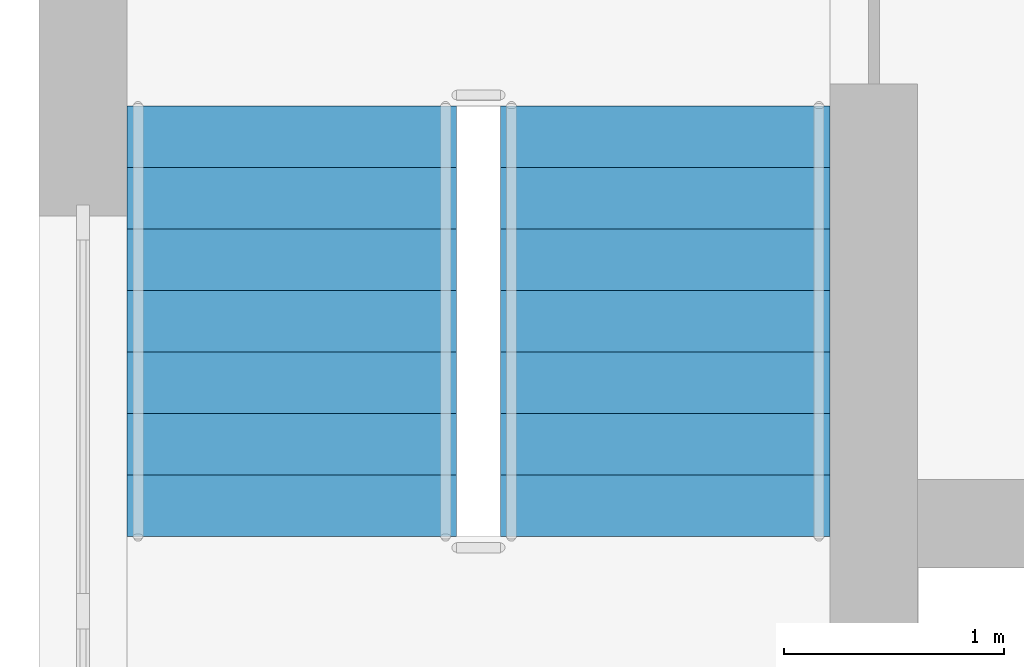
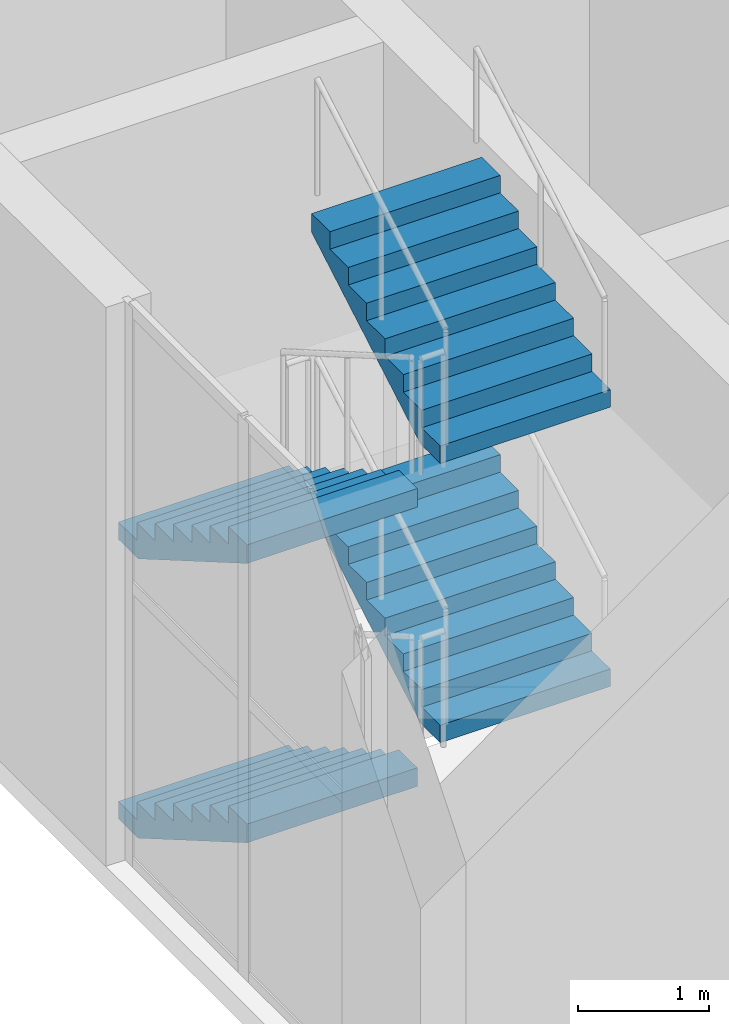
# One storey, part 68 of 93: 4 stair flights, 1 element without a shape of its own.
"""IFC4 building model written with IfcOpenShell, lengths in metres."""

from ifc_helpers import new_model, si_unit, direction, frame, origin, place, context, subcontext, project, spatial, polygons, material, type_object, element, aggregate, save


model = new_model("IFC4")

# Units and contexts
model_context = context("Model", 3, precision=1e-05, world=origin(), true_north=direction((0.0, 1.0)))
body_context = subcontext(model_context, "Body", "Model", "MODEL_VIEW")
ifc_project = project(units=[si_unit("LENGTHUNIT", "METRE"), si_unit("AREAUNIT", "SQUARE_METRE"), si_unit("VOLUMEUNIT", "CUBIC_METRE"), si_unit("PLANEANGLEUNIT", "RADIAN"), si_unit("MASSUNIT", "GRAM", prefix="KILO")], contexts=[model_context])

# Site, building, storey
site_placement = place(None, origin())
site = spatial("IfcSite", under=ifc_project, at=site_placement, CompositionType="ELEMENT")
building_placement = place(site_placement, origin())
building = spatial("IfcBuilding", under=site, at=building_placement, Name="Verrick Yard Athletic Hall", CompositionType="ELEMENT")
storey_placement = place(building_placement, frame((0.0, 0.0, 8.800048828125)))
storey = spatial("IfcBuildingStorey", under=building, at=storey_placement, Name="L02", CompositionType="ELEMENT", Elevation=8.800048828125)

# Stair, stair flights
ifc_material = material(Name="Concrete 35 MPa", Category="concrete")
stair_type = type_object("IfcStairType", Name="Stair ST2 1500 wide 32 risers", PredefinedType="HALF_TURN_STAIR", material=ifc_material)
stair_placement = place(storey_placement, origin())
stair = element("IfcStair", 1, at=stair_placement, inside=storey, type_object=stair_type, Name="Wing south-west stair L02", PredefinedType="HALF_TURN_STAIR")
stair_flight_type = type_object("IfcStairFlightType", Name="Stair flight SF2 1500 wide 8 risers", PredefinedType="STRAIGHT", material=ifc_material)
stair_flight_1_placement = place(storey_placement, frame((11.14990234375, 23.300048828125, 0.0), z_axis=(0.0, 0.0, 1.0), x_axis=(0.0, -1.0, 0.0)))
stair_flight_1 = element("IfcStairFlight", 2, at=stair_flight_1_placement, type_object=stair_flight_type, Name="ST2 flight 1", NumberOfRisers=8, NumberOfTreads=7, PredefinedType="STRAIGHT", RiserHeight=0.1625, TreadLength=0.28, context=body_context, shape_type="Tessellation", body=[
    polygons([(0.2986404620805121, -0.75, 0.0), (1.9600000000000002, -0.75, 0.9641818746854172), (1.9600000000000002, -0.75, 1.1375), (1.6800000000000002, -0.75, 1.1375), (1.6800000000000002, -0.75, 0.9750000000000001), (1.4000000000000001, -0.75, 0.9750000000000001), (1.4000000000000001, -0.75, 0.8125), (1.12, -0.75, 0.8125), (1.12, -0.75, 0.65), (0.8400000000000001, -0.75, 0.65), (0.8400000000000001, -0.75, 0.48750000000000004), (0.56, -0.75, 0.48750000000000004), (0.56, -0.75, 0.325), (0.28, -0.75, 0.325), (0.28, -0.75, 0.1625), (0.0, -0.75, 0.1625), (0.0, -0.75, 0.0), (0.2986404620805121, -0.14990234375, 0.0), (1.9600000000000002, -0.14990234375, 0.9641818746854172), (1.9600000000000002, -0.14990234375, 1.1375), (1.6800000000000002, -0.14990234375, 1.1375), (1.6800000000000002, -0.14990234375, 0.9750000000000001), (1.4000000000000001, -0.14990234375, 0.9750000000000001), (1.4000000000000001, -0.14990234375, 0.8125), (1.12, -0.14990234375, 0.8125), (1.12, -0.14990234375, 0.65), (0.8400000000000001, -0.14990234375, 0.65), (0.8400000000000001, -0.14990234375, 0.48750000000000004), (0.56, -0.14990234375, 0.48750000000000004), (0.56, -0.14990234375, 0.325), (0.28, -0.14990234375, 0.325), (0.28, -0.14990234375, 0.1625), (0.0, -0.14990234375, 0.1625), (0.0, -0.14990234375, 0.0), (0.2986404620805121, -0.050048828125, 0.0), (1.9600000000000002, -0.050048828125, 0.9641818746854172), (1.9600000000000002, -0.050048828125, 1.1375), (1.6800000000000002, -0.050048828125, 1.1375), (1.6800000000000002, -0.050048828125, 0.9750000000000001), (1.4000000000000001, -0.050048828125, 0.9750000000000001), (1.4000000000000001, -0.050048828125, 0.8125), (1.12, -0.050048828125, 0.8125), (1.12, -0.050048828125, 0.65), (0.8400000000000001, -0.050048828125, 0.65), (0.8400000000000001, -0.050048828125, 0.48750000000000004), (0.56, -0.050048828125, 0.48750000000000004), (0.56, -0.050048828125, 0.325), (0.28, -0.050048828125, 0.325), (0.28, -0.050048828125, 0.1625), (0.0, -0.050048828125, 0.1625), (0.0, -0.050048828125, 0.0), (0.2986404620805121, 0.050048828125, 0.0), (1.9600000000000002, 0.050048828125, 0.9641818746854172), (1.9600000000000002, 0.050048828125, 1.1375), (1.6800000000000002, 0.050048828125, 1.1375), (1.6800000000000002, 0.050048828125, 0.9750000000000001), (1.4000000000000001, 0.050048828125, 0.9750000000000001), (1.4000000000000001, 0.050048828125, 0.8125), (1.12, 0.050048828125, 0.8125), (1.12, 0.050048828125, 0.65), (0.8400000000000001, 0.050048828125, 0.65), (0.8400000000000001, 0.050048828125, 0.48750000000000004), (0.56, 0.050048828125, 0.48750000000000004), (0.56, 0.050048828125, 0.325), (0.28, 0.050048828125, 0.325), (0.28, 0.050048828125, 0.1625), (0.0, 0.050048828125, 0.1625), (0.0, 0.050048828125, 0.0), (0.2986404620805121, 0.14990234375, 0.0), (1.9600000000000002, 0.14990234375, 0.9641818746854172), (1.9600000000000002, 0.14990234375, 1.1375), (1.6800000000000002, 0.14990234375, 1.1375), (1.6800000000000002, 0.14990234375, 0.9750000000000001), (1.4000000000000001, 0.14990234375, 0.9750000000000001), (1.4000000000000001, 0.14990234375, 0.8125), (1.12, 0.14990234375, 0.8125), (1.12, 0.14990234375, 0.65), (0.8400000000000001, 0.14990234375, 0.65), (0.8400000000000001, 0.14990234375, 0.48750000000000004), (0.56, 0.14990234375, 0.48750000000000004), (0.56, 0.14990234375, 0.325), (0.28, 0.14990234375, 0.325), (0.28, 0.14990234375, 0.1625), (0.0, 0.14990234375, 0.1625), (0.0, 0.14990234375, 0.0), (0.2986404620805121, 0.75, 0.0), (1.9600000000000002, 0.75, 0.9641818746854172), (1.9600000000000002, 0.75, 1.1375), (1.6800000000000002, 0.75, 1.1375), (1.6800000000000002, 0.75, 0.9750000000000001), (1.4000000000000001, 0.75, 0.9750000000000001), (1.4000000000000001, 0.75, 0.8125), (1.12, 0.75, 0.8125), (1.12, 0.75, 0.65), (0.8400000000000001, 0.75, 0.65), (0.8400000000000001, 0.75, 0.48750000000000004), (0.56, 0.75, 0.48750000000000004), (0.56, 0.75, 0.325), (0.28, 0.75, 0.325), (0.28, 0.75, 0.1625), (0.0, 0.75, 0.1625), (0.0, 0.75, 0.0)], [[[1, 2, 3, 4, 5, 6, 7, 8, 9, 10, 11, 12, 13, 14, 15, 16, 17]], [[102, 101, 100, 99, 98, 97, 96, 95, 94, 93, 92, 91, 90, 89, 88, 87, 86]], [[1, 18, 19, 2]], [[2, 19, 20, 3]], [[3, 20, 21, 4]], [[4, 21, 22, 5]], [[5, 22, 23, 6]], [[6, 23, 24, 7]], [[7, 24, 25, 8]], [[8, 25, 26, 9]], [[9, 26, 27, 10]], [[10, 27, 28, 11]], [[11, 28, 29, 12]], [[12, 29, 30, 13]], [[13, 30, 31, 14]], [[14, 31, 32, 15]], [[15, 32, 33, 16]], [[16, 33, 34, 17]], [[17, 34, 18, 1]], [[18, 35, 36, 19]], [[19, 36, 37, 20]], [[20, 37, 38, 21]], [[21, 38, 39, 22]], [[22, 39, 40, 23]], [[23, 40, 41, 24]], [[24, 41, 42, 25]], [[25, 42, 43, 26]], [[26, 43, 44, 27]], [[27, 44, 45, 28]], [[28, 45, 46, 29]], [[29, 46, 47, 30]], [[30, 47, 48, 31]], [[31, 48, 49, 32]], [[32, 49, 50, 33]], [[33, 50, 51, 34]], [[34, 51, 35, 18]], [[35, 52, 53, 36]], [[36, 53, 54, 37]], [[37, 54, 55, 38]], [[38, 55, 56, 39]], [[39, 56, 57, 40]], [[40, 57, 58, 41]], [[41, 58, 59, 42]], [[42, 59, 60, 43]], [[43, 60, 61, 44]], [[44, 61, 62, 45]], [[45, 62, 63, 46]], [[46, 63, 64, 47]], [[47, 64, 65, 48]], [[48, 65, 66, 49]], [[49, 66, 67, 50]], [[50, 67, 68, 51]], [[51, 68, 52, 35]], [[52, 69, 70, 53]], [[53, 70, 71, 54]], [[54, 71, 72, 55]], [[55, 72, 73, 56]], [[56, 73, 74, 57]], [[57, 74, 75, 58]], [[58, 75, 76, 59]], [[59, 76, 77, 60]], [[60, 77, 78, 61]], [[61, 78, 79, 62]], [[62, 79, 80, 63]], [[63, 80, 81, 64]], [[64, 81, 82, 65]], [[65, 82, 83, 66]], [[66, 83, 84, 67]], [[67, 84, 85, 68]], [[68, 85, 69, 52]], [[69, 86, 87, 70]], [[70, 87, 88, 71]], [[71, 88, 89, 72]], [[72, 89, 90, 73]], [[73, 90, 91, 74]], [[74, 91, 92, 75]], [[75, 92, 93, 76]], [[76, 93, 94, 77]], [[77, 94, 95, 78]], [[78, 95, 96, 79]], [[79, 96, 97, 80]], [[80, 97, 98, 81]], [[81, 98, 99, 82]], [[82, 99, 100, 83]], [[83, 100, 101, 84]], [[84, 101, 102, 85]], [[85, 102, 86, 69]]], closed=True),
])
stair_flight_2_placement = place(storey_placement, frame((12.85009765625, 21.340087890625, 1.300048828125), z_axis=(0.0, 0.0, 1.0), x_axis=(0.0, 1.0, 0.0)))
stair_flight_2 = element("IfcStairFlight", 3, at=stair_flight_2_placement, type_object=stair_flight_type, Name="ST2 flight 2", NumberOfRisers=8, NumberOfTreads=7, PredefinedType="STRAIGHT", RiserHeight=0.1625, TreadLength=0.28, context=body_context, shape_type="Tessellation", body=[
    polygons([(0.2986404620805121, -0.75, 0.0), (1.9600000000000002, -0.75, 0.9641818746854172), (1.9600000000000002, -0.75, 1.1375), (1.6800000000000002, -0.75, 1.1375), (1.6800000000000002, -0.75, 0.9750000000000001), (1.4000000000000001, -0.75, 0.9750000000000001), (1.4000000000000001, -0.75, 0.8125), (1.12, -0.75, 0.8125), (1.12, -0.75, 0.65), (0.8400000000000001, -0.75, 0.65), (0.8400000000000001, -0.75, 0.48750000000000004), (0.56, -0.75, 0.48750000000000004), (0.56, -0.75, 0.325), (0.28, -0.75, 0.325), (0.28, -0.75, 0.1625), (0.0, -0.75, 0.1625), (0.0, -0.75, 0.0), (0.2986404620805121, -0.14990234375, 0.0), (1.9600000000000002, -0.14990234375, 0.9641818746854172), (1.9600000000000002, -0.14990234375, 1.1375), (1.6800000000000002, -0.14990234375, 1.1375), (1.6800000000000002, -0.14990234375, 0.9750000000000001), (1.4000000000000001, -0.14990234375, 0.9750000000000001), (1.4000000000000001, -0.14990234375, 0.8125), (1.12, -0.14990234375, 0.8125), (1.12, -0.14990234375, 0.65), (0.8400000000000001, -0.14990234375, 0.65), (0.8400000000000001, -0.14990234375, 0.48750000000000004), (0.56, -0.14990234375, 0.48750000000000004), (0.56, -0.14990234375, 0.325), (0.28, -0.14990234375, 0.325), (0.28, -0.14990234375, 0.1625), (0.0, -0.14990234375, 0.1625), (0.0, -0.14990234375, 0.0), (0.2986404620805121, -0.050048828125, 0.0), (1.9600000000000002, -0.050048828125, 0.9641818746854172), (1.9600000000000002, -0.050048828125, 1.1375), (1.6800000000000002, -0.050048828125, 1.1375), (1.6800000000000002, -0.050048828125, 0.9750000000000001), (1.4000000000000001, -0.050048828125, 0.9750000000000001), (1.4000000000000001, -0.050048828125, 0.8125), (1.12, -0.050048828125, 0.8125), (1.12, -0.050048828125, 0.65), (0.8400000000000001, -0.050048828125, 0.65), (0.8400000000000001, -0.050048828125, 0.48750000000000004), (0.56, -0.050048828125, 0.48750000000000004), (0.56, -0.050048828125, 0.325), (0.28, -0.050048828125, 0.325), (0.28, -0.050048828125, 0.1625), (0.0, -0.050048828125, 0.1625), (0.0, -0.050048828125, 0.0), (0.2986404620805121, 0.050048828125, 0.0), (1.9600000000000002, 0.050048828125, 0.9641818746854172), (1.9600000000000002, 0.050048828125, 1.1375), (1.6800000000000002, 0.050048828125, 1.1375), (1.6800000000000002, 0.050048828125, 0.9750000000000001), (1.4000000000000001, 0.050048828125, 0.9750000000000001), (1.4000000000000001, 0.050048828125, 0.8125), (1.12, 0.050048828125, 0.8125), (1.12, 0.050048828125, 0.65), (0.8400000000000001, 0.050048828125, 0.65), (0.8400000000000001, 0.050048828125, 0.48750000000000004), (0.56, 0.050048828125, 0.48750000000000004), (0.56, 0.050048828125, 0.325), (0.28, 0.050048828125, 0.325), (0.28, 0.050048828125, 0.1625), (0.0, 0.050048828125, 0.1625), (0.0, 0.050048828125, 0.0), (0.2986404620805121, 0.14990234375, 0.0), (1.9600000000000002, 0.14990234375, 0.9641818746854172), (1.9600000000000002, 0.14990234375, 1.1375), (1.6800000000000002, 0.14990234375, 1.1375), (1.6800000000000002, 0.14990234375, 0.9750000000000001), (1.4000000000000001, 0.14990234375, 0.9750000000000001), (1.4000000000000001, 0.14990234375, 0.8125), (1.12, 0.14990234375, 0.8125), (1.12, 0.14990234375, 0.65), (0.8400000000000001, 0.14990234375, 0.65), (0.8400000000000001, 0.14990234375, 0.48750000000000004), (0.56, 0.14990234375, 0.48750000000000004), (0.56, 0.14990234375, 0.325), (0.28, 0.14990234375, 0.325), (0.28, 0.14990234375, 0.1625), (0.0, 0.14990234375, 0.1625), (0.0, 0.14990234375, 0.0), (0.2986404620805121, 0.75, 0.0), (1.9600000000000002, 0.75, 0.9641818746854172), (1.9600000000000002, 0.75, 1.1375), (1.6800000000000002, 0.75, 1.1375), (1.6800000000000002, 0.75, 0.9750000000000001), (1.4000000000000001, 0.75, 0.9750000000000001), (1.4000000000000001, 0.75, 0.8125), (1.12, 0.75, 0.8125), (1.12, 0.75, 0.65), (0.8400000000000001, 0.75, 0.65), (0.8400000000000001, 0.75, 0.48750000000000004), (0.56, 0.75, 0.48750000000000004), (0.56, 0.75, 0.325), (0.28, 0.75, 0.325), (0.28, 0.75, 0.1625), (0.0, 0.75, 0.1625), (0.0, 0.75, 0.0)], [[[1, 2, 3, 4, 5, 6, 7, 8, 9, 10, 11, 12, 13, 14, 15, 16, 17]], [[102, 101, 100, 99, 98, 97, 96, 95, 94, 93, 92, 91, 90, 89, 88, 87, 86]], [[1, 18, 19, 2]], [[2, 19, 20, 3]], [[3, 20, 21, 4]], [[4, 21, 22, 5]], [[5, 22, 23, 6]], [[6, 23, 24, 7]], [[7, 24, 25, 8]], [[8, 25, 26, 9]], [[9, 26, 27, 10]], [[10, 27, 28, 11]], [[11, 28, 29, 12]], [[12, 29, 30, 13]], [[13, 30, 31, 14]], [[14, 31, 32, 15]], [[15, 32, 33, 16]], [[16, 33, 34, 17]], [[17, 34, 18, 1]], [[18, 35, 36, 19]], [[19, 36, 37, 20]], [[20, 37, 38, 21]], [[21, 38, 39, 22]], [[22, 39, 40, 23]], [[23, 40, 41, 24]], [[24, 41, 42, 25]], [[25, 42, 43, 26]], [[26, 43, 44, 27]], [[27, 44, 45, 28]], [[28, 45, 46, 29]], [[29, 46, 47, 30]], [[30, 47, 48, 31]], [[31, 48, 49, 32]], [[32, 49, 50, 33]], [[33, 50, 51, 34]], [[34, 51, 35, 18]], [[35, 52, 53, 36]], [[36, 53, 54, 37]], [[37, 54, 55, 38]], [[38, 55, 56, 39]], [[39, 56, 57, 40]], [[40, 57, 58, 41]], [[41, 58, 59, 42]], [[42, 59, 60, 43]], [[43, 60, 61, 44]], [[44, 61, 62, 45]], [[45, 62, 63, 46]], [[46, 63, 64, 47]], [[47, 64, 65, 48]], [[48, 65, 66, 49]], [[49, 66, 67, 50]], [[50, 67, 68, 51]], [[51, 68, 52, 35]], [[52, 69, 70, 53]], [[53, 70, 71, 54]], [[54, 71, 72, 55]], [[55, 72, 73, 56]], [[56, 73, 74, 57]], [[57, 74, 75, 58]], [[58, 75, 76, 59]], [[59, 76, 77, 60]], [[60, 77, 78, 61]], [[61, 78, 79, 62]], [[62, 79, 80, 63]], [[63, 80, 81, 64]], [[64, 81, 82, 65]], [[65, 82, 83, 66]], [[66, 83, 84, 67]], [[67, 84, 85, 68]], [[68, 85, 69, 52]], [[69, 86, 87, 70]], [[70, 87, 88, 71]], [[71, 88, 89, 72]], [[72, 89, 90, 73]], [[73, 90, 91, 74]], [[74, 91, 92, 75]], [[75, 92, 93, 76]], [[76, 93, 94, 77]], [[77, 94, 95, 78]], [[78, 95, 96, 79]], [[79, 96, 97, 80]], [[80, 97, 98, 81]], [[81, 98, 99, 82]], [[82, 99, 100, 83]], [[83, 100, 101, 84]], [[84, 101, 102, 85]], [[85, 102, 86, 69]]], closed=True),
])
stair_flight_3_placement = place(storey_placement, frame((11.14990234375, 23.300048828125, 2.599853515625), z_axis=(0.0, 0.0, 1.0), x_axis=(0.0, -1.0, 0.0)))
stair_flight_3 = element("IfcStairFlight", 4, at=stair_flight_3_placement, type_object=stair_flight_type, Name="ST2 flight 3", NumberOfRisers=8, NumberOfTreads=7, PredefinedType="STRAIGHT", RiserHeight=0.1625, TreadLength=0.28, context=body_context, shape_type="Tessellation", body=[
    polygons([(0.2986404620805121, -0.75, 0.0), (1.9600000000000002, -0.75, 0.9641818746854172), (1.9600000000000002, -0.75, 1.1375), (1.6800000000000002, -0.75, 1.1375), (1.6800000000000002, -0.75, 0.9750000000000001), (1.4000000000000001, -0.75, 0.9750000000000001), (1.4000000000000001, -0.75, 0.8125), (1.12, -0.75, 0.8125), (1.12, -0.75, 0.65), (0.8400000000000001, -0.75, 0.65), (0.8400000000000001, -0.75, 0.48750000000000004), (0.56, -0.75, 0.48750000000000004), (0.56, -0.75, 0.325), (0.28, -0.75, 0.325), (0.28, -0.75, 0.1625), (0.0, -0.75, 0.1625), (0.0, -0.75, 0.0), (0.2986404620805121, -0.14990234375, 0.0), (1.9600000000000002, -0.14990234375, 0.9641818746854172), (1.9600000000000002, -0.14990234375, 1.1375), (1.6800000000000002, -0.14990234375, 1.1375), (1.6800000000000002, -0.14990234375, 0.9750000000000001), (1.4000000000000001, -0.14990234375, 0.9750000000000001), (1.4000000000000001, -0.14990234375, 0.8125), (1.12, -0.14990234375, 0.8125), (1.12, -0.14990234375, 0.65), (0.8400000000000001, -0.14990234375, 0.65), (0.8400000000000001, -0.14990234375, 0.48750000000000004), (0.56, -0.14990234375, 0.48750000000000004), (0.56, -0.14990234375, 0.325), (0.28, -0.14990234375, 0.325), (0.28, -0.14990234375, 0.1625), (0.0, -0.14990234375, 0.1625), (0.0, -0.14990234375, 0.0), (0.2986404620805121, -0.050048828125, 0.0), (1.9600000000000002, -0.050048828125, 0.9641818746854172), (1.9600000000000002, -0.050048828125, 1.1375), (1.6800000000000002, -0.050048828125, 1.1375), (1.6800000000000002, -0.050048828125, 0.9750000000000001), (1.4000000000000001, -0.050048828125, 0.9750000000000001), (1.4000000000000001, -0.050048828125, 0.8125), (1.12, -0.050048828125, 0.8125), (1.12, -0.050048828125, 0.65), (0.8400000000000001, -0.050048828125, 0.65), (0.8400000000000001, -0.050048828125, 0.48750000000000004), (0.56, -0.050048828125, 0.48750000000000004), (0.56, -0.050048828125, 0.325), (0.28, -0.050048828125, 0.325), (0.28, -0.050048828125, 0.1625), (0.0, -0.050048828125, 0.1625), (0.0, -0.050048828125, 0.0), (0.2986404620805121, 0.050048828125, 0.0), (1.9600000000000002, 0.050048828125, 0.9641818746854172), (1.9600000000000002, 0.050048828125, 1.1375), (1.6800000000000002, 0.050048828125, 1.1375), (1.6800000000000002, 0.050048828125, 0.9750000000000001), (1.4000000000000001, 0.050048828125, 0.9750000000000001), (1.4000000000000001, 0.050048828125, 0.8125), (1.12, 0.050048828125, 0.8125), (1.12, 0.050048828125, 0.65), (0.8400000000000001, 0.050048828125, 0.65), (0.8400000000000001, 0.050048828125, 0.48750000000000004), (0.56, 0.050048828125, 0.48750000000000004), (0.56, 0.050048828125, 0.325), (0.28, 0.050048828125, 0.325), (0.28, 0.050048828125, 0.1625), (0.0, 0.050048828125, 0.1625), (0.0, 0.050048828125, 0.0), (0.2986404620805121, 0.14990234375, 0.0), (1.9600000000000002, 0.14990234375, 0.9641818746854172), (1.9600000000000002, 0.14990234375, 1.1375), (1.6800000000000002, 0.14990234375, 1.1375), (1.6800000000000002, 0.14990234375, 0.9750000000000001), (1.4000000000000001, 0.14990234375, 0.9750000000000001), (1.4000000000000001, 0.14990234375, 0.8125), (1.12, 0.14990234375, 0.8125), (1.12, 0.14990234375, 0.65), (0.8400000000000001, 0.14990234375, 0.65), (0.8400000000000001, 0.14990234375, 0.48750000000000004), (0.56, 0.14990234375, 0.48750000000000004), (0.56, 0.14990234375, 0.325), (0.28, 0.14990234375, 0.325), (0.28, 0.14990234375, 0.1625), (0.0, 0.14990234375, 0.1625), (0.0, 0.14990234375, 0.0), (0.2986404620805121, 0.75, 0.0), (1.9600000000000002, 0.75, 0.9641818746854172), (1.9600000000000002, 0.75, 1.1375), (1.6800000000000002, 0.75, 1.1375), (1.6800000000000002, 0.75, 0.9750000000000001), (1.4000000000000001, 0.75, 0.9750000000000001), (1.4000000000000001, 0.75, 0.8125), (1.12, 0.75, 0.8125), (1.12, 0.75, 0.65), (0.8400000000000001, 0.75, 0.65), (0.8400000000000001, 0.75, 0.48750000000000004), (0.56, 0.75, 0.48750000000000004), (0.56, 0.75, 0.325), (0.28, 0.75, 0.325), (0.28, 0.75, 0.1625), (0.0, 0.75, 0.1625), (0.0, 0.75, 0.0)], [[[1, 2, 3, 4, 5, 6, 7, 8, 9, 10, 11, 12, 13, 14, 15, 16, 17]], [[102, 101, 100, 99, 98, 97, 96, 95, 94, 93, 92, 91, 90, 89, 88, 87, 86]], [[1, 18, 19, 2]], [[2, 19, 20, 3]], [[3, 20, 21, 4]], [[4, 21, 22, 5]], [[5, 22, 23, 6]], [[6, 23, 24, 7]], [[7, 24, 25, 8]], [[8, 25, 26, 9]], [[9, 26, 27, 10]], [[10, 27, 28, 11]], [[11, 28, 29, 12]], [[12, 29, 30, 13]], [[13, 30, 31, 14]], [[14, 31, 32, 15]], [[15, 32, 33, 16]], [[16, 33, 34, 17]], [[17, 34, 18, 1]], [[18, 35, 36, 19]], [[19, 36, 37, 20]], [[20, 37, 38, 21]], [[21, 38, 39, 22]], [[22, 39, 40, 23]], [[23, 40, 41, 24]], [[24, 41, 42, 25]], [[25, 42, 43, 26]], [[26, 43, 44, 27]], [[27, 44, 45, 28]], [[28, 45, 46, 29]], [[29, 46, 47, 30]], [[30, 47, 48, 31]], [[31, 48, 49, 32]], [[32, 49, 50, 33]], [[33, 50, 51, 34]], [[34, 51, 35, 18]], [[35, 52, 53, 36]], [[36, 53, 54, 37]], [[37, 54, 55, 38]], [[38, 55, 56, 39]], [[39, 56, 57, 40]], [[40, 57, 58, 41]], [[41, 58, 59, 42]], [[42, 59, 60, 43]], [[43, 60, 61, 44]], [[44, 61, 62, 45]], [[45, 62, 63, 46]], [[46, 63, 64, 47]], [[47, 64, 65, 48]], [[48, 65, 66, 49]], [[49, 66, 67, 50]], [[50, 67, 68, 51]], [[51, 68, 52, 35]], [[52, 69, 70, 53]], [[53, 70, 71, 54]], [[54, 71, 72, 55]], [[55, 72, 73, 56]], [[56, 73, 74, 57]], [[57, 74, 75, 58]], [[58, 75, 76, 59]], [[59, 76, 77, 60]], [[60, 77, 78, 61]], [[61, 78, 79, 62]], [[62, 79, 80, 63]], [[63, 80, 81, 64]], [[64, 81, 82, 65]], [[65, 82, 83, 66]], [[66, 83, 84, 67]], [[67, 84, 85, 68]], [[68, 85, 69, 52]], [[69, 86, 87, 70]], [[70, 87, 88, 71]], [[71, 88, 89, 72]], [[72, 89, 90, 73]], [[73, 90, 91, 74]], [[74, 91, 92, 75]], [[75, 92, 93, 76]], [[76, 93, 94, 77]], [[77, 94, 95, 78]], [[78, 95, 96, 79]], [[79, 96, 97, 80]], [[80, 97, 98, 81]], [[81, 98, 99, 82]], [[82, 99, 100, 83]], [[83, 100, 101, 84]], [[84, 101, 102, 85]], [[85, 102, 86, 69]]], closed=True),
])
stair_flight_4_placement = place(storey_placement, frame((12.85009765625, 21.340087890625, 3.89990234375), z_axis=(0.0, 0.0, 1.0), x_axis=(0.0, 1.0, 0.0)))
stair_flight_4 = element("IfcStairFlight", 5, at=stair_flight_4_placement, type_object=stair_flight_type, Name="ST2 flight 4", NumberOfRisers=8, NumberOfTreads=7, PredefinedType="STRAIGHT", RiserHeight=0.1625, TreadLength=0.28, context=body_context, shape_type="Tessellation", body=[
    polygons([(0.2986404620805121, -0.75, 0.0), (1.9600000000000002, -0.75, 0.9641818746854172), (1.9600000000000002, -0.75, 1.1375), (1.6800000000000002, -0.75, 1.1375), (1.6800000000000002, -0.75, 0.9750000000000001), (1.4000000000000001, -0.75, 0.9750000000000001), (1.4000000000000001, -0.75, 0.8125), (1.12, -0.75, 0.8125), (1.12, -0.75, 0.65), (0.8400000000000001, -0.75, 0.65), (0.8400000000000001, -0.75, 0.48750000000000004), (0.56, -0.75, 0.48750000000000004), (0.56, -0.75, 0.325), (0.28, -0.75, 0.325), (0.28, -0.75, 0.1625), (0.0, -0.75, 0.1625), (0.0, -0.75, 0.0), (0.2986404620805121, -0.14990234375, 0.0), (1.9600000000000002, -0.14990234375, 0.9641818746854172), (1.9600000000000002, -0.14990234375, 1.1375), (1.6800000000000002, -0.14990234375, 1.1375), (1.6800000000000002, -0.14990234375, 0.9750000000000001), (1.4000000000000001, -0.14990234375, 0.9750000000000001), (1.4000000000000001, -0.14990234375, 0.8125), (1.12, -0.14990234375, 0.8125), (1.12, -0.14990234375, 0.65), (0.8400000000000001, -0.14990234375, 0.65), (0.8400000000000001, -0.14990234375, 0.48750000000000004), (0.56, -0.14990234375, 0.48750000000000004), (0.56, -0.14990234375, 0.325), (0.28, -0.14990234375, 0.325), (0.28, -0.14990234375, 0.1625), (0.0, -0.14990234375, 0.1625), (0.0, -0.14990234375, 0.0), (0.2986404620805121, -0.050048828125, 0.0), (1.9600000000000002, -0.050048828125, 0.9641818746854172), (1.9600000000000002, -0.050048828125, 1.1375), (1.6800000000000002, -0.050048828125, 1.1375), (1.6800000000000002, -0.050048828125, 0.9750000000000001), (1.4000000000000001, -0.050048828125, 0.9750000000000001), (1.4000000000000001, -0.050048828125, 0.8125), (1.12, -0.050048828125, 0.8125), (1.12, -0.050048828125, 0.65), (0.8400000000000001, -0.050048828125, 0.65), (0.8400000000000001, -0.050048828125, 0.48750000000000004), (0.56, -0.050048828125, 0.48750000000000004), (0.56, -0.050048828125, 0.325), (0.28, -0.050048828125, 0.325), (0.28, -0.050048828125, 0.1625), (0.0, -0.050048828125, 0.1625), (0.0, -0.050048828125, 0.0), (0.2986404620805121, 0.050048828125, 0.0), (1.9600000000000002, 0.050048828125, 0.9641818746854172), (1.9600000000000002, 0.050048828125, 1.1375), (1.6800000000000002, 0.050048828125, 1.1375), (1.6800000000000002, 0.050048828125, 0.9750000000000001), (1.4000000000000001, 0.050048828125, 0.9750000000000001), (1.4000000000000001, 0.050048828125, 0.8125), (1.12, 0.050048828125, 0.8125), (1.12, 0.050048828125, 0.65), (0.8400000000000001, 0.050048828125, 0.65), (0.8400000000000001, 0.050048828125, 0.48750000000000004), (0.56, 0.050048828125, 0.48750000000000004), (0.56, 0.050048828125, 0.325), (0.28, 0.050048828125, 0.325), (0.28, 0.050048828125, 0.1625), (0.0, 0.050048828125, 0.1625), (0.0, 0.050048828125, 0.0), (0.2986404620805121, 0.14990234375, 0.0), (1.9600000000000002, 0.14990234375, 0.9641818746854172), (1.9600000000000002, 0.14990234375, 1.1375), (1.6800000000000002, 0.14990234375, 1.1375), (1.6800000000000002, 0.14990234375, 0.9750000000000001), (1.4000000000000001, 0.14990234375, 0.9750000000000001), (1.4000000000000001, 0.14990234375, 0.8125), (1.12, 0.14990234375, 0.8125), (1.12, 0.14990234375, 0.65), (0.8400000000000001, 0.14990234375, 0.65), (0.8400000000000001, 0.14990234375, 0.48750000000000004), (0.56, 0.14990234375, 0.48750000000000004), (0.56, 0.14990234375, 0.325), (0.28, 0.14990234375, 0.325), (0.28, 0.14990234375, 0.1625), (0.0, 0.14990234375, 0.1625), (0.0, 0.14990234375, 0.0), (0.2986404620805121, 0.75, 0.0), (1.9600000000000002, 0.75, 0.9641818746854172), (1.9600000000000002, 0.75, 1.1375), (1.6800000000000002, 0.75, 1.1375), (1.6800000000000002, 0.75, 0.9750000000000001), (1.4000000000000001, 0.75, 0.9750000000000001), (1.4000000000000001, 0.75, 0.8125), (1.12, 0.75, 0.8125), (1.12, 0.75, 0.65), (0.8400000000000001, 0.75, 0.65), (0.8400000000000001, 0.75, 0.48750000000000004), (0.56, 0.75, 0.48750000000000004), (0.56, 0.75, 0.325), (0.28, 0.75, 0.325), (0.28, 0.75, 0.1625), (0.0, 0.75, 0.1625), (0.0, 0.75, 0.0)], [[[1, 2, 3, 4, 5, 6, 7, 8, 9, 10, 11, 12, 13, 14, 15, 16, 17]], [[102, 101, 100, 99, 98, 97, 96, 95, 94, 93, 92, 91, 90, 89, 88, 87, 86]], [[1, 18, 19, 2]], [[2, 19, 20, 3]], [[3, 20, 21, 4]], [[4, 21, 22, 5]], [[5, 22, 23, 6]], [[6, 23, 24, 7]], [[7, 24, 25, 8]], [[8, 25, 26, 9]], [[9, 26, 27, 10]], [[10, 27, 28, 11]], [[11, 28, 29, 12]], [[12, 29, 30, 13]], [[13, 30, 31, 14]], [[14, 31, 32, 15]], [[15, 32, 33, 16]], [[16, 33, 34, 17]], [[17, 34, 18, 1]], [[18, 35, 36, 19]], [[19, 36, 37, 20]], [[20, 37, 38, 21]], [[21, 38, 39, 22]], [[22, 39, 40, 23]], [[23, 40, 41, 24]], [[24, 41, 42, 25]], [[25, 42, 43, 26]], [[26, 43, 44, 27]], [[27, 44, 45, 28]], [[28, 45, 46, 29]], [[29, 46, 47, 30]], [[30, 47, 48, 31]], [[31, 48, 49, 32]], [[32, 49, 50, 33]], [[33, 50, 51, 34]], [[34, 51, 35, 18]], [[35, 52, 53, 36]], [[36, 53, 54, 37]], [[37, 54, 55, 38]], [[38, 55, 56, 39]], [[39, 56, 57, 40]], [[40, 57, 58, 41]], [[41, 58, 59, 42]], [[42, 59, 60, 43]], [[43, 60, 61, 44]], [[44, 61, 62, 45]], [[45, 62, 63, 46]], [[46, 63, 64, 47]], [[47, 64, 65, 48]], [[48, 65, 66, 49]], [[49, 66, 67, 50]], [[50, 67, 68, 51]], [[51, 68, 52, 35]], [[52, 69, 70, 53]], [[53, 70, 71, 54]], [[54, 71, 72, 55]], [[55, 72, 73, 56]], [[56, 73, 74, 57]], [[57, 74, 75, 58]], [[58, 75, 76, 59]], [[59, 76, 77, 60]], [[60, 77, 78, 61]], [[61, 78, 79, 62]], [[62, 79, 80, 63]], [[63, 80, 81, 64]], [[64, 81, 82, 65]], [[65, 82, 83, 66]], [[66, 83, 84, 67]], [[67, 84, 85, 68]], [[68, 85, 69, 52]], [[69, 86, 87, 70]], [[70, 87, 88, 71]], [[71, 88, 89, 72]], [[72, 89, 90, 73]], [[73, 90, 91, 74]], [[74, 91, 92, 75]], [[75, 92, 93, 76]], [[76, 93, 94, 77]], [[77, 94, 95, 78]], [[78, 95, 96, 79]], [[79, 96, 97, 80]], [[80, 97, 98, 81]], [[81, 98, 99, 82]], [[82, 99, 100, 83]], [[83, 100, 101, 84]], [[84, 101, 102, 85]], [[85, 102, 86, 69]]], closed=True),
])
aggregate(stair, [stair_flight_1, stair_flight_2, stair_flight_3, stair_flight_4])

save(model, "model.ifc")
